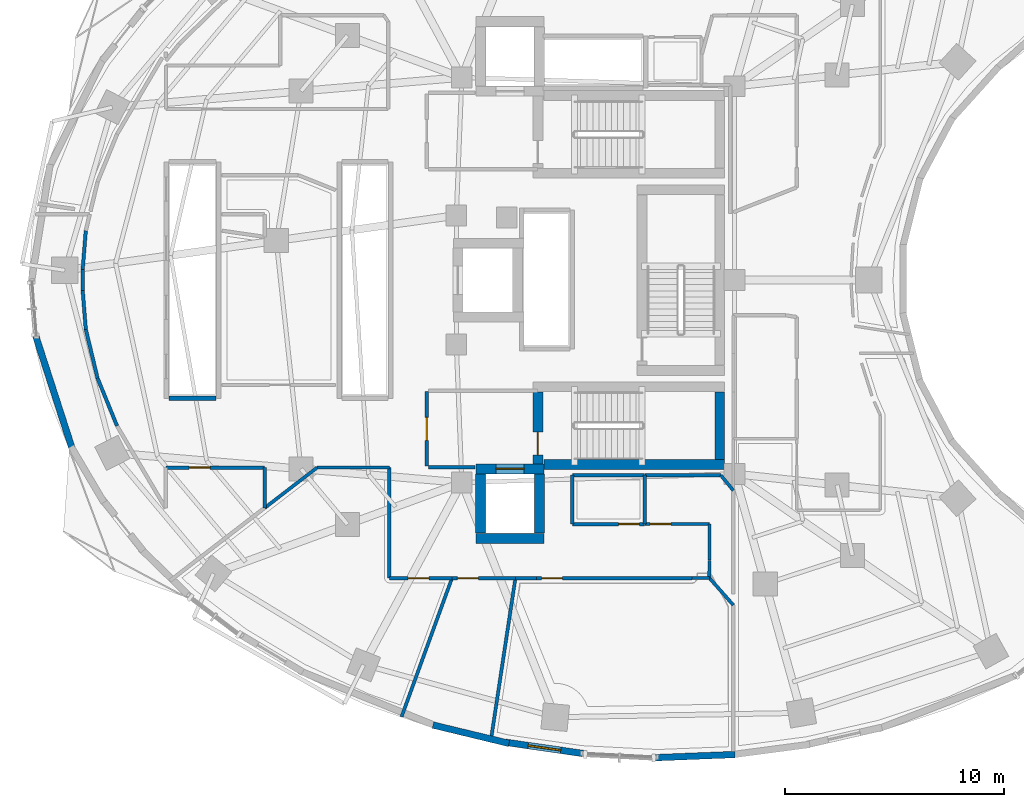
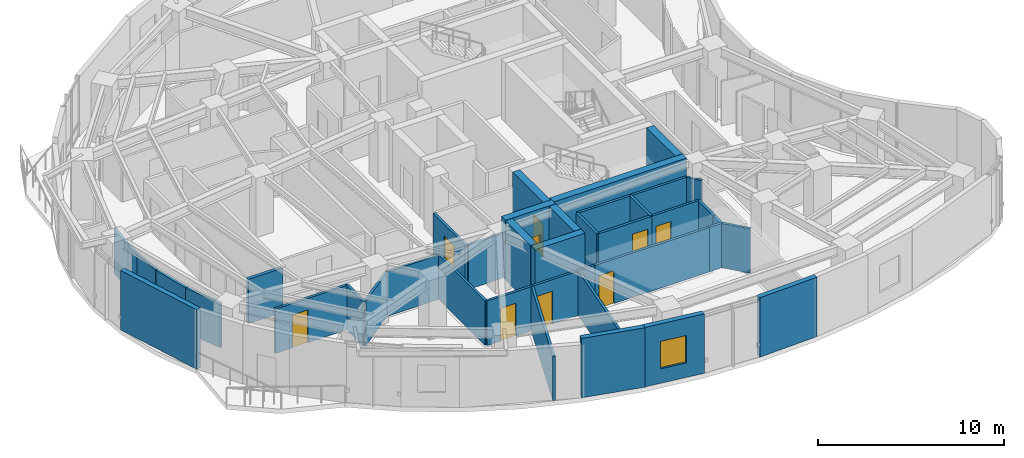
# One storey, part 8 of 15: 41 walls, 9 doors, 1 window, 10 openings.
"""IFC4 building model written with IfcOpenShell, lengths in metres."""

from ifc_helpers import new_model, si_unit, direction, frame, frame_2d, origin, place, context, subcontext, project, spatial, rectangle, extrude, material, layer, layer_set, type_object, element, fill, save


model = new_model("IFC4")

# Units and contexts
model_context = context("Model", 3, precision=1e-05, world=origin(), true_north=direction((0.0, 1.0)))
body_context = subcontext(model_context, "Body", "Model", "MODEL_VIEW")
ifc_project = project(units=[si_unit("LENGTHUNIT", "METRE"), si_unit("AREAUNIT", "SQUARE_METRE"), si_unit("VOLUMEUNIT", "CUBIC_METRE"), si_unit("PLANEANGLEUNIT", "RADIAN"), si_unit("MASSUNIT", "GRAM", prefix="KILO")], contexts=[model_context])

# Site, building, storey
site_placement = place(None, origin())
site = spatial("IfcSite", under=ifc_project, at=site_placement, CompositionType="ELEMENT")
building_placement = place(site_placement, origin())
building = spatial("IfcBuilding", under=site, at=building_placement, Name="Korentha Bioscience Tower", CompositionType="ELEMENT")
storey_placement = place(building_placement, frame((0.0, 0.0, 115.199951171875)))
storey = spatial("IfcBuildingStorey", under=building, at=storey_placement, Name="L26", CompositionType="ELEMENT", Elevation=115.199951171875)

# Wall, opening, door
ifc_material_1 = material(Name="Double-Stud Acoustic Gypsum", Category="gypsum")
ifc_layer_1 = layer(ifc_material_1, 0.14990234375, Name="Double-Stud Acoustic Gypsum")
ifc_layer_set_1 = layer_set([ifc_layer_1], Name="Double-Stud Acoustic Gypsum (IW-L150)")
wall_type_1 = type_object("IfcWallType", Name="Acoustic Laboratory Partition Wall 150", PredefinedType="PARTITIONING", material=ifc_layer_set_1)
wall_1_placement = place(storey_placement, frame((21.800048828125, 13.389892578125, 0.0), z_axis=(0.0, 0.0, 1.0), x_axis=(1.0, 0.0, 0.0)))
wall_1 = element("IfcWall", 1, at=wall_1_placement, inside=storey, type_object=wall_type_1, Name="L26 Biomechanical Motion Analysis Lab 03 Entrance Wall", PredefinedType="PARTITIONING", context=body_context, shape_type="SweptSolid", body=[
    extrude(rectangle(XDim=2.851806640625, YDim=0.14990234375, at=frame_2d((1.42578125, 0.0))), origin(), (0.0, 0.0, 1.0), 2.91015625),
])
opening_1_placement = place(wall_1_placement, frame((0.850341796875, 0.0, 0.0)))
opening_1 = element("IfcOpeningElement", 2, at=opening_1_placement, cuts=wall_1, Name="Opening ID-10L", PredefinedType="OPENING", context=body_context, shape_type="SweptSolid", body=[
    extrude(rectangle(XDim=0.949951171875, YDim=2.14990234375, at=frame_2d((0.47509765625, 1.074951171875))), frame((0.0, 0.08984375, 0.0), z_axis=(0.0, -1.0, 0.0), x_axis=(1.0, 0.0, 0.0)), (0.0, 0.0, 1.0), 0.1796875),
])
ifc_material_2 = material(Name="Phenolic Laminate Timber Core", Category="wood")
door_type_1 = type_object("IfcDoorType", Name="Laboratory Single Leaf Door 950x2150 Left", OperationType="SINGLE_SWING_LEFT", PredefinedType="DOOR", material=ifc_material_2)
door_1_placement = place(opening_1_placement, origin())
door_1 = element("IfcDoor", 3, at=door_1_placement, inside=storey, type_object=door_type_1, Name="L26 Biomechanical Motion Analysis Lab 03 Door", OperationType="SINGLE_SWING_LEFT", OverallHeight=2.14990234375, OverallWidth=0.949951171875, PredefinedType="DOOR", context=body_context, shape_type="SweptSolid", body=[
    extrude(rectangle(XDim=0.949951171875, YDim=2.14990234375, at=frame_2d((0.47509765625, 1.074951171875))), frame((0.0, 0.02490234375, 0.0), z_axis=(0.0, -1.0, 0.0), x_axis=(1.0, 0.0, 0.0)), (0.0, 0.0, 1.0), 0.050048828125),
])
fill(opening_1, door_1)

wall_2_placement = place(storey_placement, frame((24.661865234375, 13.389892578125, 0.0), z_axis=(0.0, 0.0, 1.0), x_axis=(1.0, 0.0, 0.0)))
wall_2 = element("IfcWall", 4, at=wall_2_placement, inside=storey, type_object=wall_type_1, Name="L26 Principal Investigator Office 04 Entrance Wall", PredefinedType="PARTITIONING", context=body_context, shape_type="SweptSolid", body=[
    extrude(rectangle(XDim=2.885498046875, YDim=0.14990234375, at=frame_2d((1.44287109375, 0.0))), origin(), (0.0, 0.0, 1.0), 2.91015625),
])
opening_2_placement = place(wall_2_placement, frame((0.239990234375, 0.0, 0.0)))
opening_2 = element("IfcOpeningElement", 5, at=opening_2_placement, cuts=wall_2, Name="Opening ID-10R", PredefinedType="OPENING", context=body_context, shape_type="SweptSolid", body=[
    extrude(rectangle(XDim=0.949951171875, YDim=2.14990234375, at=frame_2d((0.47509765625, 1.074951171875))), frame((0.0, 0.08984375, 0.0), z_axis=(0.0, -1.0, 0.0), x_axis=(1.0, 0.0, 0.0)), (0.0, 0.0, 1.0), 0.1796875),
])
door_type_2 = type_object("IfcDoorType", Name="Laboratory Single Leaf Door 950x2150 Right", OperationType="SINGLE_SWING_RIGHT", PredefinedType="DOOR", material=ifc_material_2)
door_2_placement = place(opening_2_placement, origin())
door_2 = element("IfcDoor", 6, at=door_2_placement, inside=storey, type_object=door_type_2, Name="L26 Principal Investigator Office 04 Door", OperationType="SINGLE_SWING_RIGHT", OverallHeight=2.14990234375, OverallWidth=0.949951171875, PredefinedType="DOOR", context=body_context, shape_type="SweptSolid", body=[
    extrude(rectangle(XDim=0.949951171875, YDim=2.14990234375, at=frame_2d((0.47509765625, 1.074951171875))), frame((0.0, 0.02490234375, 0.0), z_axis=(0.0, -1.0, 0.0), x_axis=(1.0, 0.0, 0.0)), (0.0, 0.0, 1.0), 0.050048828125),
])
fill(opening_2, door_2)

wall_3_placement = place(storey_placement, frame((28.5, 13.389892578125, 0.0), z_axis=(0.0, 0.0, 1.0), x_axis=(1.0, 0.0, 0.0)))
wall_3 = element("IfcWall", 7, at=wall_3_placement, inside=storey, type_object=wall_type_1, Name="L26 Fluorescence Confocal Microscopy Room 05 Entrance Wall", PredefinedType="PARTITIONING", context=body_context, shape_type="SweptSolid", body=[
    extrude(rectangle(XDim=7.10009765625, YDim=0.14990234375, at=frame_2d((3.550048828125, 0.0))), origin(), (0.0, 0.0, 1.0), 2.91015625),
])
opening_3_placement = place(wall_3_placement, frame((0.239990234375, 0.0, 0.0)))
opening_3 = element("IfcOpeningElement", 8, at=opening_3_placement, cuts=wall_3, Name="Opening ID-10L", PredefinedType="OPENING", context=body_context, shape_type="SweptSolid", body=[
    extrude(rectangle(XDim=0.949951171875, YDim=2.14990234375, at=frame_2d((0.47509765625, 1.074951171875))), frame((0.0, 0.08984375, 0.0), z_axis=(0.0, -1.0, 0.0), x_axis=(1.0, 0.0, 0.0)), (0.0, 0.0, 1.0), 0.1796875),
])
door_3_placement = place(opening_3_placement, origin())
door_3 = element("IfcDoor", 9, at=door_3_placement, inside=storey, type_object=door_type_1, Name="L26 Fluorescence Confocal Microscopy Room 05 Door", OperationType="SINGLE_SWING_LEFT", OverallHeight=2.14990234375, OverallWidth=0.949951171875, PredefinedType="DOOR", context=body_context, shape_type="SweptSolid", body=[
    extrude(rectangle(XDim=0.949951171875, YDim=2.14990234375, at=frame_2d((0.47509765625, 1.074951171875))), frame((0.0, 0.02490234375, 0.0), z_axis=(0.0, -1.0, 0.0), x_axis=(1.0, 0.0, 0.0)), (0.0, 0.0, 1.0), 0.050048828125),
])
fill(opening_3, door_3)

wall_4_placement = place(storey_placement, frame((36.39990234375, 15.860107421875, 0.0), z_axis=(0.0, 0.0, 1.0), x_axis=(-1.0, 0.0, 0.0)))
wall_4 = element("IfcWall", 10, at=wall_4_placement, inside=storey, type_object=wall_type_1, Name="L26 Incubator and Bioreactor Suite 06 Entrance Wall", PredefinedType="PARTITIONING", context=body_context, shape_type="SweptSolid", body=[
    extrude(rectangle(XDim=2.93994140625, YDim=0.14990234375, at=frame_2d((1.469970703125, 0.0))), origin(), (0.0, 0.0, 1.0), 2.91015625),
])
opening_4_placement = place(wall_4_placement, frame((1.75, 0.0, 0.0)))
opening_4 = element("IfcOpeningElement", 11, at=opening_4_placement, cuts=wall_4, Name="Opening ID-10R", PredefinedType="OPENING", context=body_context, shape_type="SweptSolid", body=[
    extrude(rectangle(XDim=0.949951171875, YDim=2.14990234375, at=frame_2d((0.47509765625, 1.074951171875))), frame((0.0, 0.08984375, 0.0), z_axis=(0.0, -1.0, 0.0), x_axis=(1.0, 0.0, 0.0)), (0.0, 0.0, 1.0), 0.1796875),
])
door_4_placement = place(opening_4_placement, origin())
door_4 = element("IfcDoor", 12, at=door_4_placement, inside=storey, type_object=door_type_2, Name="L26 Incubator and Bioreactor Suite 06 Door", OperationType="SINGLE_SWING_RIGHT", OverallHeight=2.14990234375, OverallWidth=0.949951171875, PredefinedType="DOOR", context=body_context, shape_type="SweptSolid", body=[
    extrude(rectangle(XDim=0.949951171875, YDim=2.14990234375, at=frame_2d((0.47509765625, 1.074951171875))), frame((0.0, 0.02490234375, 0.0), z_axis=(0.0, -1.0, 0.0), x_axis=(1.0, 0.0, 0.0)), (0.0, 0.0, 1.0), 0.050048828125),
])
fill(opening_4, door_4)

# Walls
wall_5_placement = place(storey_placement, frame((18.49560546875, 18.43994140625, 0.0), z_axis=(0.0, 0.0, 1.0), x_axis=(1.0, 0.0, 0.0)))
element("IfcWall", 13, at=wall_5_placement, inside=storey, type_object=wall_type_1, Name="L26 Interior Partition 036", PredefinedType="PARTITIONING", context=body_context, shape_type="SweptSolid", body=[
    extrude(rectangle(XDim=3.29443359375, YDim=0.14990234375, at=frame_2d((1.647216796875, 0.0))), origin(), (0.0, 0.0, 1.0), 2.91015625),
])
wall_6_placement = place(storey_placement, frame((21.7900390625, 18.43994140625, 0.0), z_axis=(0.0, 0.0, 1.0), x_axis=(0.0, -1.0, 0.0)))
element("IfcWall", 14, at=wall_6_placement, inside=storey, type_object=wall_type_1, Name="L26 Interior Partition 037", PredefinedType="PARTITIONING", context=body_context, shape_type="SweptSolid", body=[
    extrude(rectangle(XDim=5.0400390625, YDim=0.14990234375, at=frame_2d((2.52001953125, 0.0))), origin(), (0.0, 0.0, 1.0), 2.91015625),
])
wall_7_placement = place(storey_placement, frame((24.65185546875, 13.389892578125, 0.0), z_axis=(0.0, 0.0, 1.0), x_axis=(-0.342007848086, -0.939697095796, 0.0)))
element("IfcWall", 15, at=wall_7_placement, inside=storey, type_object=wall_type_1, Name="L26 Interior Partition 038", PredefinedType="PARTITIONING", context=body_context, shape_type="SweptSolid", body=[
    extrude(rectangle(XDim=6.736572265625, YDim=0.14990234375, at=frame_2d((3.3681640625, 0.0))), origin(), (0.0, 0.0, 1.0), 2.91015625),
])
wall_8_placement = place(storey_placement, frame((16.10791015625, 16.601318359375, 0.0), z_axis=(0.0, 0.0, 1.0), x_axis=(0.792313685483, 0.61011394329, 0.0)))
element("IfcWall", 16, at=wall_8_placement, inside=storey, type_object=wall_type_1, Name="L26 Interior Partition 039", PredefinedType="PARTITIONING", context=body_context, shape_type="SweptSolid", body=[
    extrude(rectangle(XDim=3.013671875, YDim=0.14990234375, at=frame_2d((1.5068359375, 0.0))), origin(), (0.0, 0.0, 1.0), 2.91015625),
])
wall_9_placement = place(storey_placement, frame((27.54736328125, 13.389892578125, 0.0), z_axis=(0.0, 0.0, 1.0), x_axis=(-0.149552603586, -0.988753770542, 0.0)))
element("IfcWall", 17, at=wall_9_placement, inside=storey, type_object=wall_type_1, Name="L26 Interior Partition 040", PredefinedType="PARTITIONING", context=body_context, shape_type="SweptSolid", body=[
    extrude(rectangle(XDim=7.553466796875, YDim=0.14990234375, at=frame_2d((3.77685546875, 0.0))), origin(), (0.0, 0.0, 1.0), 2.91015625),
])
wall_10_placement = place(storey_placement, frame((27.557373046875, 13.389892578125, 0.0), z_axis=(0.0, 0.0, 1.0), x_axis=(1.0, 0.0, 0.0)))
element("IfcWall", 18, at=wall_10_placement, inside=storey, type_object=wall_type_1, Name="L26 Interior Partition 041", PredefinedType="PARTITIONING", context=body_context, shape_type="SweptSolid", body=[
    extrude(rectangle(XDim=0.942626953125, YDim=0.14990234375, at=frame_2d((0.47119140625, 0.0))), origin(), (0.0, 0.0, 1.0), 2.91015625),
])
wall_11_placement = place(storey_placement, frame((35.610107421875, 13.39990234375, 0.0), z_axis=(0.0, 0.0, 1.0), x_axis=(1.0, 0.0, 0.0)))
element("IfcWall", 19, at=wall_11_placement, inside=storey, type_object=wall_type_1, Name="L26 Interior Partition 043", PredefinedType="PARTITIONING", context=body_context, shape_type="SweptSolid", body=[
    extrude(rectangle(XDim=0.789794921875, YDim=0.14990234375, at=frame_2d((0.39501953125, 0.0))), origin(), (0.0, 0.0, 1.0), 2.91015625),
])
wall_12_placement = place(storey_placement, frame((36.39990234375, 13.39990234375, 0.0), z_axis=(0.0, 0.0, 1.0), x_axis=(0.012472409758, 0.999922216472, 0.0)))
element("IfcWall", 20, at=wall_12_placement, inside=storey, type_object=wall_type_1, Name="L26 Interior Partition 044", PredefinedType="PARTITIONING", context=body_context, shape_type="SweptSolid", body=[
    extrude(rectangle(XDim=0.802490234375, YDim=0.14990234375, at=frame_2d((0.4013671875, 0.0))), origin(), (0.0, 0.0, 1.0), 2.91015625),
])
wall_13_placement = place(storey_placement, frame((36.39990234375, 13.39990234375, 0.0), z_axis=(0.0, 0.0, 1.0), x_axis=(0.661894141329, -0.74959732235, 0.0)))
element("IfcWall", 21, at=wall_13_placement, inside=storey, type_object=wall_type_1, Name="L26 Interior Partition 045", PredefinedType="PARTITIONING", context=body_context, shape_type="SweptSolid", body=[
    extrude(rectangle(XDim=1.6591796875, YDim=0.14990234375, at=frame_2d((0.82958984375, 0.0))), origin(), (0.0, 0.0, 1.0), 2.91015625),
])
wall_14_placement = place(storey_placement, frame((36.409912109375, 14.21240234375, 0.0), z_axis=(0.0, 0.0, 1.0), x_axis=(0.0, 1.0, 0.0)))
element("IfcWall", 22, at=wall_14_placement, inside=storey, type_object=wall_type_1, Name="L26 Interior Partition 048", PredefinedType="PARTITIONING", context=body_context, shape_type="SweptSolid", body=[
    extrude(rectangle(XDim=1.6376953125, YDim=0.14990234375, at=frame_2d((0.81884765625, 0.0))), origin(), (0.0, 0.0, 1.0), 2.91015625),
])
wall_15_placement = place(storey_placement, frame((33.4599609375, 18.090087890625, 0.0), z_axis=(0.0, 0.0, 1.0), x_axis=(1.0, 0.0, 0.0)))
element("IfcWall", 23, at=wall_15_placement, inside=storey, type_object=wall_type_1, Name="L26 Interior Partition 049", PredefinedType="PARTITIONING", context=body_context, shape_type="SweptSolid", body=[
    extrude(rectangle(XDim=3.4638671875, YDim=0.14990234375, at=frame_2d((1.73193359375, 0.0))), origin(), (0.0, 0.0, 1.0), 2.91015625),
])
wall_16_placement = place(storey_placement, frame((36.923828125, 18.090087890625, 0.0), z_axis=(0.0, 0.0, 1.0), x_axis=(0.634618530508, -0.772825543532, 0.0)))
element("IfcWall", 24, at=wall_16_placement, inside=storey, type_object=wall_type_1, Name="L26 Interior Partition 050", PredefinedType="PARTITIONING", context=body_context, shape_type="SweptSolid", body=[
    extrude(rectangle(XDim=0.904541015625, YDim=0.14990234375, at=frame_2d((0.4521484375, 0.0))), origin(), (0.0, 0.0, 1.0), 2.91015625),
])

# Wall, opening, door
ifc_material_3 = material(Name="Gypsum-Clad Steel Stud", Category="steel")
ifc_layer_2 = layer(ifc_material_3, 0.159912109375, Name="Gypsum-Clad Steel Stud")
ifc_layer_set_2 = layer_set([ifc_layer_2], Name="Gypsum-Clad Steel Stud (IW-C160)")
wall_type_2 = type_object("IfcWallType", Name="Fire-Rated Corridor Partition Wall 160", PredefinedType="PARTITIONING", material=ifc_layer_set_2)
wall_17_placement = place(storey_placement, frame((23.5, 18.5, 0.0), z_axis=(0.0, 0.0, 1.0), x_axis=(0.0, 1.0, 0.0)))
wall_17 = element("IfcWall", 25, at=wall_17_placement, inside=storey, type_object=wall_type_2, Name="L26 FFLS-CW Rated Enclosure Wall", PredefinedType="PARTITIONING", context=body_context, shape_type="SweptSolid", body=[
    extrude(rectangle(XDim=3.39990234375, YDim=0.159912109375, at=frame_2d((1.699951171875, 0.0))), origin(), (0.0, 0.0, 1.0), 2.91015625),
])
opening_5_placement = place(wall_17_placement, frame((1.175048828125, 0.0, 0.0)))
opening_5 = element("IfcOpeningElement", 26, at=opening_5_placement, cuts=wall_17, Name="Opening FD-90L", PredefinedType="OPENING", context=body_context, shape_type="SweptSolid", body=[
    extrude(rectangle(XDim=1.050048828125, YDim=2.14990234375, at=frame_2d((0.52490234375, 1.074951171875))), frame((0.0, 0.0947265625, 0.0), z_axis=(0.0, -1.0, 0.0), x_axis=(1.0, 0.0, 0.0)), (0.0, 0.0, 1.0), 0.189697265625),
])
ifc_material_4 = material(Name="Powder-Coated Fire-Rated Steel", Category="steel")
door_type_3 = type_object("IfcDoorType", Name="Stairwell Fire Exit Door 1050x2150 Left", OperationType="SINGLE_SWING_LEFT", PredefinedType="DOOR", material=ifc_material_4)
door_5_placement = place(opening_5_placement, origin())
door_5 = element("IfcDoor", 27, at=door_5_placement, inside=storey, type_object=door_type_3, Name="L26 South Firefighting Lobby Door", OperationType="SINGLE_SWING_LEFT", OverallHeight=2.14990234375, OverallWidth=1.050048828125, PredefinedType="DOOR", context=body_context, shape_type="SweptSolid", body=[
    extrude(rectangle(XDim=1.050048828125, YDim=2.14990234375, at=frame_2d((0.52490234375, 1.074951171875))), frame((0.0, 0.02490234375, 0.0), z_axis=(0.0, -1.0, 0.0), x_axis=(1.0, 0.0, 0.0)), (0.0, 0.0, 1.0), 0.050048828125),
])
fill(opening_5, door_5)

# Wall
wall_18_placement = place(storey_placement, frame((23.580078125, 18.449951171875, 0.0), z_axis=(0.0, 0.0, 1.0), x_axis=(1.0, 0.0, 0.0)))
element("IfcWall", 28, at=wall_18_placement, inside=storey, type_object=wall_type_2, Name="L26 Firefighting Lobby Return Wall FFLS-S", PredefinedType="PARTITIONING", context=body_context, shape_type="SweptSolid", body=[
    extrude(rectangle(XDim=2.119873046875, YDim=0.159912109375, at=frame_2d((1.06005859375, 0.0))), origin(), (0.0, 0.0, 1.0), 2.91015625),
])

# Wall, opening, door
wall_19_placement = place(storey_placement, frame((33.449951171875, 15.860107421875, 0.0), z_axis=(0.0, 0.0, 1.0), x_axis=(-1.0, 0.0, 0.0)))
wall_19 = element("IfcWall", 29, at=wall_19_placement, inside=storey, type_object=wall_type_2, Name="L26 Core Instrumentation and Gas Store Entrance Wall", PredefinedType="PARTITIONING", context=body_context, shape_type="SweptSolid", body=[
    extrude(rectangle(XDim=3.300048828125, YDim=0.159912109375, at=frame_2d((1.64990234375, 0.0))), origin(), (0.0, 0.0, 1.0), 2.91015625),
])
opening_6_placement = place(wall_19_placement, frame((0.239990234375, 0.0, 0.0)))
opening_6 = element("IfcOpeningElement", 30, at=opening_6_placement, cuts=wall_19, Name="Opening ID-10L", PredefinedType="OPENING", context=body_context, shape_type="SweptSolid", body=[
    extrude(rectangle(XDim=0.949951171875, YDim=2.14990234375, at=frame_2d((0.47509765625, 1.074951171875))), frame((0.0, 0.0947265625, 0.0), z_axis=(0.0, -1.0, 0.0), x_axis=(1.0, 0.0, 0.0)), (0.0, 0.0, 1.0), 0.189697265625),
])
door_6_placement = place(opening_6_placement, origin())
door_6 = element("IfcDoor", 31, at=door_6_placement, inside=storey, type_object=door_type_1, Name="L26 Core Instrumentation and Gas Store Door", OperationType="SINGLE_SWING_LEFT", OverallHeight=2.14990234375, OverallWidth=0.949951171875, PredefinedType="DOOR", context=body_context, shape_type="SweptSolid", body=[
    extrude(rectangle(XDim=0.949951171875, YDim=2.14990234375, at=frame_2d((0.47509765625, 1.074951171875))), frame((0.0, 0.02490234375, 0.0), z_axis=(0.0, -1.0, 0.0), x_axis=(1.0, 0.0, 0.0)), (0.0, 0.0, 1.0), 0.050048828125),
])
fill(opening_6, door_6)

wall_20_placement = place(storey_placement, frame((11.590087890625, 18.43994140625, 0.0), z_axis=(0.0, 0.0, 1.0), x_axis=(1.0, 0.0, 0.0)))
wall_20 = element("IfcWall", 32, at=wall_20_placement, inside=storey, type_object=wall_type_2, Name="L26 Biospecimen Archive Store 02 Entrance Wall", PredefinedType="PARTITIONING", context=body_context, shape_type="SweptSolid", body=[
    extrude(rectangle(XDim=4.5078125, YDim=0.159912109375, at=frame_2d((2.25390625, 0.0))), origin(), (0.0, 0.0, 1.0), 2.91015625),
])
opening_7_placement = place(wall_20_placement, frame((1.06298828125, 0.0, 0.0)))
opening_7 = element("IfcOpeningElement", 33, at=opening_7_placement, cuts=wall_20, Name="Opening ID-10R", PredefinedType="OPENING", context=body_context, shape_type="SweptSolid", body=[
    extrude(rectangle(XDim=0.949951171875, YDim=2.14990234375, at=frame_2d((0.47509765625, 1.074951171875))), frame((0.0, 0.0947265625, 0.0), z_axis=(0.0, -1.0, 0.0), x_axis=(1.0, 0.0, 0.0)), (0.0, 0.0, 1.0), 0.189697265625),
])
door_7_placement = place(opening_7_placement, origin())
door_7 = element("IfcDoor", 34, at=door_7_placement, inside=storey, type_object=door_type_2, Name="L26 Biospecimen Archive Store 02 Door", OperationType="SINGLE_SWING_RIGHT", OverallHeight=2.14990234375, OverallWidth=0.949951171875, PredefinedType="DOOR", context=body_context, shape_type="SweptSolid", body=[
    extrude(rectangle(XDim=0.949951171875, YDim=2.14990234375, at=frame_2d((0.47509765625, 1.074951171875))), frame((0.0, 0.02490234375, 0.0), z_axis=(0.0, -1.0, 0.0), x_axis=(1.0, 0.0, 0.0)), (0.0, 0.0, 1.0), 0.050048828125),
])
fill(opening_7, door_7)

# Walls
wall_21_placement = place(storey_placement, frame((30.14990234375, 15.860107421875, 0.0), z_axis=(0.0, 0.0, 1.0), x_axis=(0.0, 1.0, 0.0)))
element("IfcWall", 35, at=wall_21_placement, inside=storey, type_object=wall_type_2, Name="L26 Interior Partition 015", PredefinedType="PARTITIONING", context=body_context, shape_type="SweptSolid", body=[
    extrude(rectangle(XDim=2.22998046875, YDim=0.159912109375, at=frame_2d((1.114990234375, 0.0))), origin(), (0.0, 0.0, 1.0), 2.91015625),
])
wall_22_placement = place(storey_placement, frame((30.14990234375, 18.090087890625, 0.0), z_axis=(0.0, 0.0, 1.0), x_axis=(1.0, 0.0, 0.0)))
element("IfcWall", 36, at=wall_22_placement, inside=storey, type_object=wall_type_2, Name="L26 Interior Partition 016", PredefinedType="PARTITIONING", context=body_context, shape_type="SweptSolid", body=[
    extrude(rectangle(XDim=3.300048828125, YDim=0.159912109375, at=frame_2d((1.64990234375, 0.0))), origin(), (0.0, 0.0, 1.0), 2.91015625),
])
wall_23_placement = place(storey_placement, frame((33.449951171875, 18.090087890625, 0.0), z_axis=(0.0, 0.0, 1.0), x_axis=(0.0, -1.0, 0.0)))
element("IfcWall", 37, at=wall_23_placement, inside=storey, type_object=wall_type_2, Name="L26 Interior Partition 017", PredefinedType="PARTITIONING", context=body_context, shape_type="SweptSolid", body=[
    extrude(rectangle(XDim=2.22998046875, YDim=0.159912109375, at=frame_2d((1.114990234375, 0.0))), origin(), (0.0, 0.0, 1.0), 2.91015625),
])
wall_24_placement = place(storey_placement, frame((7.93017578125, 29.249267578125, 0.0), z_axis=(0.0, 0.0, 1.0), x_axis=(-0.079131522864, -0.996864184375, 0.0)))
element("IfcWall", 38, at=wall_24_placement, inside=storey, type_object=wall_type_2, Name="L26 Interior Partition 027", PredefinedType="PARTITIONING", context=body_context, shape_type="SweptSolid", body=[
    extrude(rectangle(XDim=1.77099609375, YDim=0.159912109375, at=frame_2d((0.885498046875, 0.0))), origin(), (0.0, 0.0, 1.0), 2.91015625),
])
wall_25_placement = place(storey_placement, frame((7.7900390625, 27.48291015625, 0.0), z_axis=(0.0, 0.0, 1.0), x_axis=(0.0, -1.0, 0.0)))
element("IfcWall", 39, at=wall_25_placement, inside=storey, type_object=wall_type_2, Name="L26 Interior Partition 028", PredefinedType="PARTITIONING", context=body_context, shape_type="SweptSolid", body=[
    extrude(rectangle(XDim=0.9658203125, YDim=0.159912109375, at=frame_2d((0.48291015625, 0.0))), origin(), (0.0, 0.0, 1.0), 2.91015625),
])
wall_26_placement = place(storey_placement, frame((7.7900390625, 26.51611328125, 0.0), z_axis=(0.0, 0.0, 1.0), x_axis=(0.079131522864, -0.996864184375, 0.0)))
element("IfcWall", 40, at=wall_26_placement, inside=storey, type_object=wall_type_2, Name="L26 Interior Partition 029", PredefinedType="PARTITIONING", context=body_context, shape_type="SweptSolid", body=[
    extrude(rectangle(XDim=1.77099609375, YDim=0.159912109375, at=frame_2d((0.885498046875, 0.0))), origin(), (0.0, 0.0, 1.0), 2.91015625),
])
wall_27_placement = place(storey_placement, frame((7.930419921875, 24.749267578125, 0.0), z_axis=(0.0, 0.0, 1.0), x_axis=(0.233675196412, -0.972314713754, 0.0)))
element("IfcWall", 41, at=wall_27_placement, inside=storey, type_object=wall_type_2, Name="L26 Interior Partition 030", PredefinedType="PARTITIONING", context=body_context, shape_type="SweptSolid", body=[
    extrude(rectangle(XDim=2.291259765625, YDim=0.159912109375, at=frame_2d((1.1455078125, 0.0))), origin(), (0.0, 0.0, 1.0), 2.91015625),
])
wall_28_placement = place(storey_placement, frame((8.46630859375, 22.520263671875, 0.0), z_axis=(0.0, 0.0, 1.0), x_axis=(0.378306283753, -0.925680482495, 0.0)))
element("IfcWall", 42, at=wall_28_placement, inside=storey, type_object=wall_type_2, Name="L26 Interior Partition 031", PredefinedType="PARTITIONING", context=body_context, shape_type="SweptSolid", body=[
    extrude(rectangle(XDim=2.358154296875, YDim=0.159912109375, at=frame_2d((1.17919921875, 0.0))), origin(), (0.0, 0.0, 1.0), 2.91015625),
])
wall_29_placement = place(storey_placement, frame((16.097900390625, 18.43994140625, 0.0), z_axis=(0.0, 0.0, 1.0), x_axis=(0.0, -1.0, 0.0)))
element("IfcWall", 43, at=wall_29_placement, inside=storey, type_object=wall_type_2, Name="L26 Interior Partition 034", PredefinedType="PARTITIONING", context=body_context, shape_type="SweptSolid", body=[
    extrude(rectangle(XDim=1.841064453125, YDim=0.159912109375, at=frame_2d((0.92041015625, 0.0))), origin(), (0.0, 0.0, 1.0), 2.91015625),
])

# Wall, opening, window
ifc_material_5 = material(Name="Honed Limestone Precast Concrete C40", Category="masonry")
ifc_layer_3 = layer(ifc_material_5, 0.300048828125, Name="Honed Limestone Precast Concrete C40")
ifc_layer_set_3 = layer_set([ifc_layer_3], Name="Honed Limestone Precast Concrete C40 (EW-ST300)")
wall_type_3 = type_object("IfcWallType", Name="Honed Limestone Cavity Spandrel Wall 300", PredefinedType="STANDARD", material=ifc_layer_set_3)
wall_30_placement = place(storey_placement, frame((27.10595703125, 5.8916015625, 0.0), z_axis=(0.0, 0.0, 1.0), x_axis=(0.989740605239, -0.142875940389, 0.0)))
wall_30 = element("IfcWall", 44, at=wall_30_placement, inside=storey, type_object=wall_type_3, Name="L26 Honed Limestone Spandrel Wall 30", PredefinedType="STANDARD", context=body_context, shape_type="SweptSolid", body=[
    extrude(rectangle(XDim=3.5712890625, YDim=0.300048828125, at=frame_2d((1.78564453125, 0.0))), origin(), (0.0, 0.0, 1.0), 3.900146484375),
])
opening_8_placement = place(wall_30_placement, frame((1.03564453125, 0.0, 0.949951171875)))
opening_8 = element("IfcOpeningElement", 45, at=opening_8_placement, cuts=wall_30, Name="Opening WN-02", PredefinedType="OPENING", context=body_context, shape_type="SweptSolid", body=[
    extrude(rectangle(XDim=1.5, YDim=1.800048828125, at=frame_2d((0.75, 0.89990234375))), frame((0.0, 0.1650390625, 0.0), z_axis=(0.0, -1.0, 0.0), x_axis=(1.0, 0.0, 0.0)), (0.0, 0.0, 1.0), 0.329833984375),
])
ifc_material_6 = material(Name="Thermally Broken Aluminium Triple Glazing", Category="aluminium")
window_type = type_object("IfcWindowType", Name="Acoustic Operable Office Window 1500x1800", PartitioningType="DOUBLE_PANEL_VERTICAL", PredefinedType="WINDOW", material=ifc_material_6)
window_placement = place(opening_8_placement, origin())
window = element("IfcWindow", 46, at=window_placement, inside=storey, type_object=window_type, Name="L26 Facade Window 30", OverallHeight=1.800048828125, OverallWidth=1.5, PartitioningType="DOUBLE_PANEL_VERTICAL", PredefinedType="WINDOW", context=body_context, shape_type="SweptSolid", body=[
    extrude(rectangle(XDim=1.5, YDim=1.800048828125, at=frame_2d((0.75, 0.89990234375))), frame((0.0, 0.030029296875, 0.0), z_axis=(0.0, -1.0, 0.0), x_axis=(1.0, 0.0, 0.0)), (0.0, 0.0, 1.0), 0.06005859375),
])
fill(opening_8, window)

# Walls
wall_31_placement = place(storey_placement, frame((5.631591796875, 24.48681640625, 0.0), z_axis=(0.0, 0.0, 1.0), x_axis=(0.307599470659, -0.951515930319, 0.0)))
element("IfcWall", 47, at=wall_31_placement, inside=storey, type_object=wall_type_3, Name="L26 Limestone Perimeter Closure Wall 20", PredefinedType="STANDARD", context=body_context, shape_type="SweptSolid", body=[
    extrude(rectangle(XDim=5.534423828125, YDim=0.300048828125, at=frame_2d((2.76708984375, 0.0))), origin(), (0.0, 0.0, 1.0), 3.900146484375),
])
wall_32_placement = place(storey_placement, frame((23.7841796875, 6.679931640625, 0.0), z_axis=(0.0, 0.0, 1.0), x_axis=(0.972043452321, -0.234801036625, 0.0)))
element("IfcWall", 48, at=wall_32_placement, inside=storey, type_object=wall_type_3, Name="L26 Limestone Perimeter Closure Wall 29", PredefinedType="STANDARD", context=body_context, shape_type="SweptSolid", body=[
    extrude(rectangle(XDim=3.568603515625, YDim=0.300048828125, at=frame_2d((1.7841796875, 0.0))), origin(), (0.0, 0.0, 1.0), 3.900146484375),
])
wall_33_placement = place(storey_placement, frame((33.94189453125, 5.189453125, 0.0), z_axis=(0.0, 0.0, 1.0), x_axis=(0.999212076676, 0.039689114679, 0.0)))
element("IfcWall", 49, at=wall_33_placement, inside=storey, type_object=wall_type_3, Name="L26 Limestone Perimeter Closure Wall 32", PredefinedType="STANDARD", context=body_context, shape_type="SweptSolid", body=[
    extrude(rectangle(XDim=3.635498046875, YDim=0.300048828125, at=frame_2d((1.81787109375, 0.0))), origin(), (0.0, 0.0, 1.0), 3.900146484375),
])
ifc_material_7 = material(Name="Autoclaved Aerated Concrete Block C25", Category="concrete")
ifc_layer_4 = layer(ifc_material_7, 0.199951171875, Name="Autoclaved Aerated Concrete Block C25")
ifc_layer_set_4 = layer_set([ifc_layer_4], Name="Autoclaved Aerated Concrete Block C25 (IW-S200)")
wall_type_4 = type_object("IfcWallType", Name="Lift and Riser Shaft Enclosure Wall 200", PredefinedType="PARTITIONING", material=ifc_layer_set_4)
wall_34_placement = place(storey_placement, frame((11.719970703125, 21.60009765625, 0.0), z_axis=(0.0, 0.0, 1.0), x_axis=(1.0, 0.0, 0.0)))
element("IfcWall", 50, at=wall_34_placement, inside=storey, type_object=wall_type_4, Name="L26 Lift Bank LOW Shaft Wall -Y", PredefinedType="PARTITIONING", context=body_context, shape_type="SweptSolid", body=[
    extrude(rectangle(XDim=2.159912109375, YDim=0.199951171875, at=frame_2d((1.080078125, 0.0))), origin(), (0.0, 0.0, 1.0), 2.91015625),
])
ifc_material_8 = material(Name="Concrete C80", Category="concrete")
ifc_layer_5 = layer(ifc_material_8, 0.449951171875, Name="Concrete C80")
ifc_layer_set_5 = layer_set([ifc_layer_5], Name="Concrete C80 (CW-C80)")
wall_type_5 = type_object("IfcWallType", Name="Lower Core Shear Wall 450", PredefinedType="SHEAR", material=ifc_layer_set_5)
wall_35_placement = place(storey_placement, frame((28.85205078125, 18.574951171875, 0.0), z_axis=(0.0, 0.0, 1.0), x_axis=(1.0, 0.0, 0.0)))
element("IfcWall", 51, at=wall_35_placement, inside=storey, type_object=wall_type_5, Name="L26 Core Shear Wall ST2-S", PredefinedType="SHEAR", context=body_context, shape_type="SweptSolid", body=[
    extrude(rectangle(XDim=8.248046875, YDim=0.449951171875, at=frame_2d((4.1240234375, 0.0))), origin(), (0.0, 0.0, 1.0), 3.900146484375),
])
wall_36_placement = place(storey_placement, frame((36.875, 18.81005859375, 0.0), z_axis=(0.0, 0.0, 1.0), x_axis=(0.0, 1.0, 0.0)))
element("IfcWall", 52, at=wall_36_placement, inside=storey, type_object=wall_type_5, Name="L26 Core Shear Wall ST2-E", PredefinedType="SHEAR", context=body_context, shape_type="SweptSolid", body=[
    extrude(rectangle(XDim=3.079833984375, YDim=0.449951171875, at=frame_2d((1.5400390625, 0.0))), origin(), (0.0, 0.0, 1.0), 3.900146484375),
])

# Wall, opening, door
wall_37_placement = place(storey_placement, frame((28.574951171875, 18.60693359375, 0.0), z_axis=(0.0, 0.0, 1.0), x_axis=(0.0, 1.0, 0.0)))
wall_37 = element("IfcWall", 53, at=wall_37_placement, inside=storey, type_object=wall_type_5, Name="L26 Core Shear Wall ST2-W", PredefinedType="SHEAR", context=body_context, shape_type="SweptSolid", body=[
    extrude(rectangle(XDim=3.282958984375, YDim=0.449951171875, at=frame_2d((1.6416015625, 0.0))), origin(), (0.0, 0.0, 1.0), 3.900146484375),
])
opening_9_placement = place(wall_37_placement, frame((0.403076171875, 0.0, 0.0)))
opening_9 = element("IfcOpeningElement", 54, at=opening_9_placement, cuts=wall_37, Name="Opening FD-90L", PredefinedType="OPENING", context=body_context, shape_type="SweptSolid", body=[
    extrude(rectangle(XDim=1.050048828125, YDim=2.14990234375, at=frame_2d((0.52490234375, 1.074951171875))), frame((0.0, 0.23974609375, 0.0), z_axis=(0.0, -1.0, 0.0), x_axis=(1.0, 0.0, 0.0)), (0.0, 0.0, 1.0), 0.479736328125),
])
door_8_placement = place(opening_9_placement, origin())
door_8 = element("IfcDoor", 55, at=door_8_placement, inside=storey, type_object=door_type_3, Name="L26 ST-2 Fire Exit Stair Door", OperationType="SINGLE_SWING_LEFT", OverallHeight=2.14990234375, OverallWidth=1.050048828125, PredefinedType="DOOR", context=body_context, shape_type="SweptSolid", body=[
    extrude(rectangle(XDim=1.050048828125, YDim=2.14990234375, at=frame_2d((0.52490234375, 1.074951171875))), frame((0.0, 0.02490234375, 0.0), z_axis=(0.0, -1.0, 0.0), x_axis=(1.0, 0.0, 0.0)), (0.0, 0.0, 1.0), 0.050048828125),
])
fill(opening_9, door_8)

# Wall
wall_38_placement = place(storey_placement, frame((25.75, 15.199951171875, 0.0), z_axis=(0.0, 0.0, 1.0), x_axis=(1.0, 0.0, 0.0)))
element("IfcWall", 56, at=wall_38_placement, inside=storey, type_object=wall_type_5, Name="L26 Core Shear Wall FFL1-S", PredefinedType="SHEAR", context=body_context, shape_type="SweptSolid", body=[
    extrude(rectangle(XDim=3.10009765625, YDim=0.449951171875, at=frame_2d((1.550048828125, 0.0))), origin(), (0.0, 0.0, 1.0), 3.900146484375),
])

# Wall, opening, door
wall_39_placement = place(storey_placement, frame((25.75, 18.3798828125, 0.0), z_axis=(0.0, 0.0, 1.0), x_axis=(1.0, 0.0, 0.0)))
wall_39 = element("IfcWall", 57, at=wall_39_placement, inside=storey, type_object=wall_type_5, Name="L26 Core Shear Wall FFL1-N", PredefinedType="SHEAR", context=body_context, shape_type="SweptSolid", body=[
    extrude(rectangle(XDim=3.10009765625, YDim=0.449951171875, at=frame_2d((1.550048828125, 0.0))), origin(), (0.0, 0.0, 1.0), 3.900146484375),
])
opening_10_placement = place(wall_39_placement, frame((0.89990234375, 0.0, 0.0)))
opening_10 = element("IfcOpeningElement", 58, at=opening_10_placement, cuts=wall_39, Name="Opening LD-13", PredefinedType="OPENING", context=body_context, shape_type="SweptSolid", body=[
    extrude(rectangle(XDim=1.300048828125, YDim=2.199951171875, at=frame_2d((0.64990234375, 1.10009765625))), frame((0.0, 0.23974609375, 0.0), z_axis=(0.0, -1.0, 0.0), x_axis=(1.0, 0.0, 0.0)), (0.0, 0.0, 1.0), 0.479736328125),
])
ifc_material_9 = material(Name="Brushed Stainless Steel 316", Category="steel")
door_type_4 = type_object("IfcDoorType", Name="Service & Firefighting Lift Landing Door 1300x2300", OperationType="DOUBLE_DOOR_SLIDING", PredefinedType="DOOR", material=ifc_material_9)
door_9_placement = place(opening_10_placement, origin())
door_9 = element("IfcDoor", 59, at=door_9_placement, inside=storey, type_object=door_type_4, Name="L26 FFL-1 Sliding Lift Landing Door", OperationType="DOUBLE_DOOR_SLIDING", OverallHeight=2.199951171875, OverallWidth=1.300048828125, PredefinedType="DOOR", context=body_context, shape_type="SweptSolid", body=[
    extrude(rectangle(XDim=1.300048828125, YDim=2.199951171875, at=frame_2d((0.64990234375, 1.10009765625))), frame((0.0, 0.02490234375, 0.0), z_axis=(0.0, -1.0, 0.0), x_axis=(1.0, 0.0, 0.0)), (0.0, 0.0, 1.0), 0.050048828125),
])
fill(opening_10, door_9)

# Walls
for number, where, z_axis, x_axis, name in (
    (60, (25.949951171875, 15.43994140625, 0.0), (0.0, 0.0, 1.0), (0.0, 1.0, 0.0), "L26 Core Shear Wall FFL1-W"),
    (61, (28.64990234375, 15.43994140625, 0.0), (0.0, 0.0, 1.0), (0.0, 1.0, 0.0), "L26 Core Shear Wall FFL1-E"),
):
    element("IfcWall", number, at=place(storey_placement, frame(where, z_axis=z_axis, x_axis=x_axis)), inside=storey, type_object=wall_type_5, Name=name, PredefinedType="SHEAR", context=body_context, shape_type="SweptSolid", body=[
        extrude(rectangle(XDim=2.699951171875, YDim=0.449951171875, at=frame_2d((1.35009765625, 0.0))), origin(), (0.0, 0.0, 1.0), 3.900146484375),
    ])

save(model, "model.ifc")
